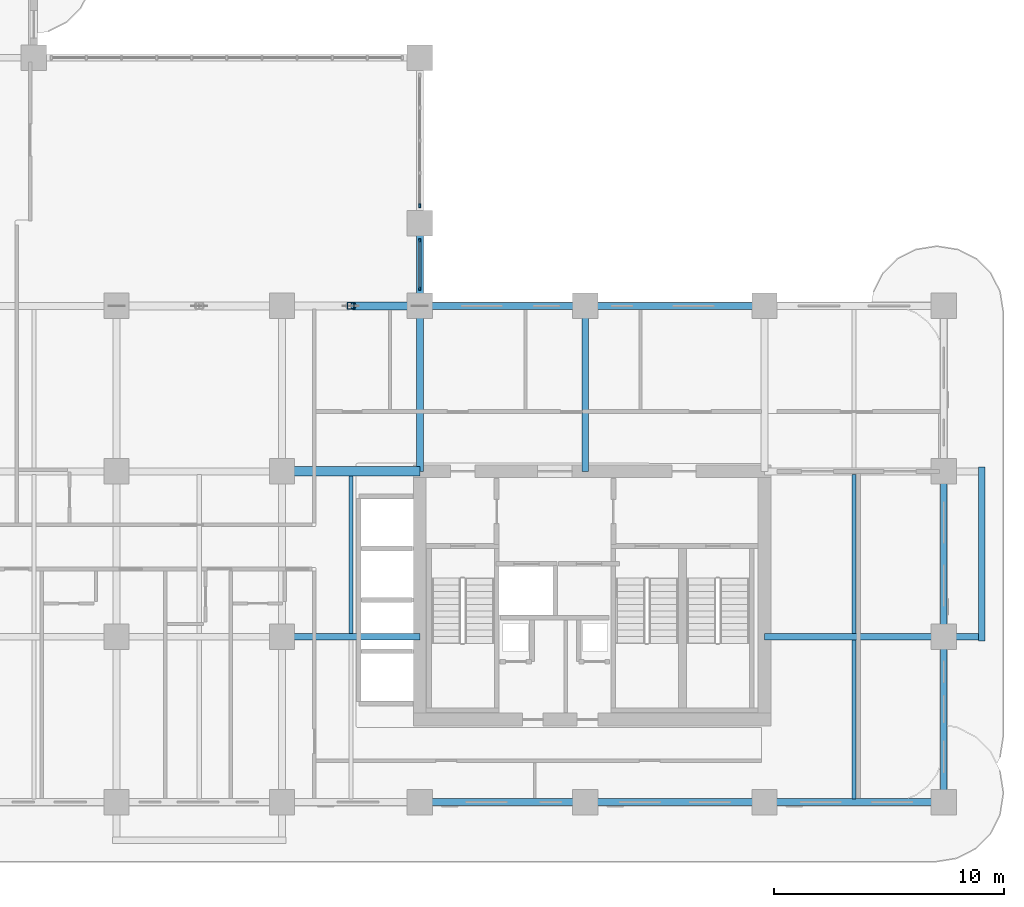
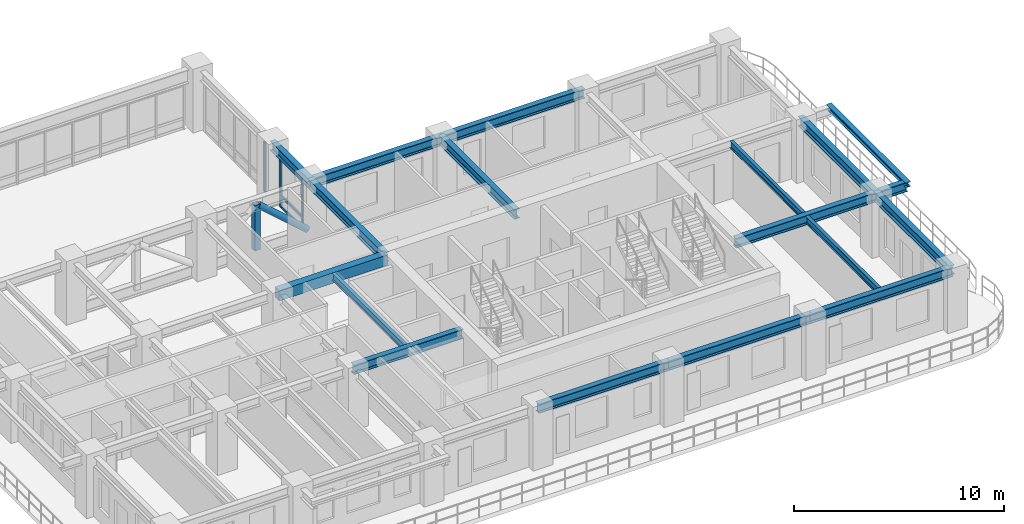
# One storey, part 3 of 21: 17 beams, 8 members, 2 elements without a shape of their own.
"""IFC4 building model written with IfcOpenShell, lengths in metres."""

from ifc_helpers import new_model, si_unit, derived_unit, direction, frame, origin, origin_2d, place, context, subcontext, project, spatial, rectangle, hollow_rectangle, hollow_circle, i_section, extrude, source, transform, mapped, material, layer, layer_set, material_profile, profile_set, type_object, type_shapes, element, aggregate, save


model = new_model("IFC4")

# Units and contexts
model_context = context("Model", 3, precision=1e-05, world=origin(), true_north=direction((0.0, 1.0)))
body_context = subcontext(model_context, "Body", "Model", "MODEL_VIEW")
ifc_project = project(units=[si_unit("LENGTHUNIT", "METRE"), si_unit("AREAUNIT", "SQUARE_METRE"), si_unit("VOLUMEUNIT", "CUBIC_METRE"), si_unit("PLANEANGLEUNIT", "RADIAN"), si_unit("MASSUNIT", "GRAM", prefix="KILO"), si_unit("THERMODYNAMICTEMPERATUREUNIT", "KELVIN"), si_unit("POWERUNIT", "WATT"), derived_unit("THERMALTRANSMITTANCEUNIT", [(si_unit("POWERUNIT", "WATT"), 1), (si_unit("AREAUNIT", "SQUARE_METRE"), -1), (si_unit("THERMODYNAMICTEMPERATUREUNIT", "KELVIN"), -1)])], contexts=[model_context])

# Site, building, storey
site_placement = place(None, origin())
site = spatial("IfcSite", under=ifc_project, at=site_placement, CompositionType="ELEMENT")
building_placement = place(site_placement, origin())
building = spatial("IfcBuilding", under=site, at=building_placement, Name="Zahravan Archway Hotel and Residences", CompositionType="ELEMENT")
storey_placement = place(building_placement, frame((0.0, 0.0, 69.39990234375)))
storey = spatial("IfcBuildingStorey", under=building, at=storey_placement, Name="L16", CompositionType="ELEMENT", Elevation=69.39990234375)

# Beams
ifc_material_1 = material(Name="Structural Steel S355JR", Category="steel")
ifc_material_profile_1 = material_profile(ifc_material_1, i_section(OverallWidth=0.280029296875, OverallDepth=0.280029296875, WebThickness=0.010498046875, FlangeThickness=0.01806640625, FilletRadius=0.02392578125, at=origin_2d()), Name="HEB 280", Category="steel")
ifc_profile_set_1 = profile_set([ifc_material_profile_1], Name="Structural Steel S355JR")
beam_type_1 = type_object("IfcBeamType", Name="BM-SPN-HEB280", PredefinedType="SPANDREL", material=ifc_profile_set_1)
shared_shape_1 = source(origin(), body_context, "Body", "SweptSolid", [
    extrude(i_section(OverallWidth=0.280029296875, OverallDepth=0.280029296875, WebThickness=0.010498046875, FlangeThickness=0.01806640625, FilletRadius=0.02392578125, at=origin_2d()), origin(), (0.0, 0.0, 1.0), 7.56005859375),
])
type_shapes(beam_type_1, [shared_shape_1])
beam_1_placement = place(storey_placement, frame((59.25, 7.02001953125, 3.31005859375), z_axis=(0.0, 1.0, 0.0), x_axis=(-1.0, 0.0, 0.0)))
element("IfcBeam", 1, at=beam_1_placement, inside=storey, type_object=beam_type_1, Name="L17 EA Balcony Edge Spandrel", PredefinedType="SPANDREL", context=body_context, shape_type="MappedRepresentation", body=[
    mapped(shared_shape_1, transform((0.0, 0.0, 0.0), scale=1.0)),
])
ifc_material_2 = material(Name="Concrete C60/75", Category="concrete")
ifc_material_profile_2 = material_profile(ifc_material_2, rectangle(XDim=0.39990234375, YDim=0.60009765625, at=origin_2d()), Name="RC-LNT-400x600", Category="concrete")
ifc_profile_set_2 = profile_set([ifc_material_profile_2], Name="Concrete C60/75")
beam_type_2 = type_object("IfcBeamType", Name="LNT-RC-400x600", PredefinedType="LINTEL", material=ifc_profile_set_2)
shared_shape_2 = source(origin(), body_context, "Body", "SweptSolid", [
    extrude(rectangle(XDim=0.39990234375, YDim=0.60009765625, at=origin_2d()), origin(), (0.0, 0.0, 1.0), 6.0),
])
type_shapes(beam_type_2, [shared_shape_2])
beam_2_placement = place(storey_placement, frame((28.800048828125, 14.39990234375, 3.150146484375), z_axis=(1.0, 0.0, 0.0), x_axis=(0.0, 1.0, 0.0)))
element("IfcBeam", 2, at=beam_2_placement, inside=storey, type_object=beam_type_2, Name="L16 Core A Coupling Lintel Beam", PredefinedType="LINTEL", context=body_context, shape_type="MappedRepresentation", body=[
    mapped(shared_shape_2, transform((0.0, 0.0, 0.0), scale=1.0)),
])
ifc_material_profile_3 = material_profile(ifc_material_1, i_section(OverallWidth=0.300048828125, OverallDepth=0.550048828125, WebThickness=0.014892578125, FlangeThickness=0.029052734375, FilletRadius=0.027099609375, at=origin_2d()), Name="HEB 550", Category="steel")
ifc_profile_set_3 = profile_set([ifc_material_profile_3], Name="Structural Steel S355JR")
beam_type_3 = type_object("IfcBeamType", Name="BM-PRI-HEB550", PredefinedType="BEAM", material=ifc_profile_set_3)
shared_shape_3 = source(origin(), body_context, "Body", "SweptSolid", [
    extrude(i_section(OverallWidth=0.300048828125, OverallDepth=0.550048828125, WebThickness=0.014892578125, FlangeThickness=0.029052734375, FilletRadius=0.027099609375, at=origin_2d()), origin(), (0.0, 0.0, 1.0), 7.2001953125),
])
type_shapes(beam_type_3, [shared_shape_3])
for number, where, z_axis, x_axis, name in (
    (3, (34.800048828125, 14.39990234375, 3.175048828125), (0.0, 1.0, 0.0), (-1.0, 0.0, 0.0), "L16 Primary Girder NS-43"),
    (4, (42.0, 14.39990234375, 3.175048828125), (0.0, 1.0, 0.0), (-1.0, 0.0, 0.0), "L16 Primary Girder NS-46"),
):
    element("IfcBeam", number, at=place(storey_placement, frame(where, z_axis=z_axis, x_axis=x_axis)), inside=storey, type_object=beam_type_3, Name=name, PredefinedType="BEAM", context=body_context, shape_type="MappedRepresentation", body=[
        mapped(shared_shape_3, transform((0.0, 0.0, 0.0), scale=1.0)),
    ])
shared_shape_4 = source(origin(), body_context, "Body", "SweptSolid", [
    extrude(i_section(OverallWidth=0.300048828125, OverallDepth=0.550048828125, WebThickness=0.014892578125, FlangeThickness=0.029052734375, FilletRadius=0.027099609375, at=origin_2d()), origin(), (0.0, 0.0, 1.0), 7.199951171875),
])
for number, where, z_axis, x_axis, name in (
    (5, (34.800048828125, 0.0, 3.175048828125), (1.0, 0.0, 0.0), (0.0, 1.0, 0.0), "L16 Primary Girder EW-04"),
    (6, (34.800048828125, 21.60009765625, 3.175048828125), (1.0, 0.0, 0.0), (0.0, 1.0, 0.0), "L16 Primary Girder EW-15"),
    (7, (57.60009765625, 0.0, 3.175048828125), (0.0, 1.0, 0.0), (-1.0, 0.0, 0.0), "L16 Primary Girder NS-48"),
    (8, (57.60009765625, 7.199951171875, 3.175048828125), (0.0, 1.0, 0.0), (-1.0, 0.0, 0.0), "L16 Primary Girder NS-49"),
):
    element("IfcBeam", number, at=place(storey_placement, frame(where, z_axis=z_axis, x_axis=x_axis)), inside=storey, type_object=beam_type_3, Name=name, PredefinedType="BEAM", context=body_context, shape_type="MappedRepresentation", body=[
        mapped(shared_shape_4, transform((0.0, 0.0, 0.0), scale=1.0)),
    ])
shared_shape_5 = source(origin(), body_context, "Body", "SweptSolid", [
    extrude(i_section(OverallWidth=0.300048828125, OverallDepth=0.550048828125, WebThickness=0.014892578125, FlangeThickness=0.029052734375, FilletRadius=0.027099609375, at=origin_2d()), origin(), (0.0, 0.0, 1.0), 6.0),
])
beam_3_placement = place(storey_placement, frame((28.800048828125, 7.199951171875, 3.175048828125), z_axis=(1.0, 0.0, 0.0), x_axis=(0.0, 1.0, 0.0)))
element("IfcBeam", 9, at=beam_3_placement, inside=storey, type_object=beam_type_3, Name="L16 Primary Girder EW-09", PredefinedType="BEAM", context=body_context, shape_type="MappedRepresentation", body=[
    mapped(shared_shape_5, transform((0.0, 0.0, 0.0), scale=1.0)),
])
shared_shape_6 = source(origin(), body_context, "Body", "SweptSolid", [
    extrude(i_section(OverallWidth=0.300048828125, OverallDepth=0.550048828125, WebThickness=0.014892578125, FlangeThickness=0.029052734375, FilletRadius=0.027099609375, at=origin_2d()), origin(), (0.0, 0.0, 1.0), 7.800048828125),
])
for number, where, z_axis, x_axis, name in (
    (10, (42.0, 0.0, 3.175048828125), (1.0, 0.0, 0.0), (0.0, 1.0, 0.0), "L16 Primary Girder EW-05"),
    (11, (49.800048828125, 0.0, 3.175048828125), (1.0, 0.0, 0.0), (0.0, 1.0, 0.0), "L16 Primary Girder EW-06"),
    (12, (42.0, 21.60009765625, 3.175048828125), (1.0, 0.0, 0.0), (0.0, 1.0, 0.0), "L16 Primary Girder EW-16"),
):
    element("IfcBeam", number, at=place(storey_placement, frame(where, z_axis=z_axis, x_axis=x_axis)), inside=storey, type_object=beam_type_3, Name=name, PredefinedType="BEAM", context=body_context, shape_type="MappedRepresentation", body=[
        mapped(shared_shape_6, transform((0.0, 0.0, 0.0), scale=1.0)),
    ])
shared_shape_7 = source(origin(), body_context, "Body", "SweptSolid", [
    extrude(i_section(OverallWidth=0.300048828125, OverallDepth=0.550048828125, WebThickness=0.014892578125, FlangeThickness=0.029052734375, FilletRadius=0.027099609375, at=origin_2d()), origin(), (0.0, 0.0, 1.0), 9.449951171875),
])
beam_4_placement = place(storey_placement, frame((49.800048828125, 7.199951171875, 3.175048828125), z_axis=(1.0, 0.0, 0.0), x_axis=(0.0, 1.0, 0.0)))
element("IfcBeam", 13, at=beam_4_placement, inside=storey, type_object=beam_type_3, Name="L16 Primary Girder EW-10", PredefinedType="BEAM", context=body_context, shape_type="MappedRepresentation", body=[
    mapped(shared_shape_7, transform((0.0, 0.0, 0.0), scale=1.0)),
])
shared_shape_8 = source(origin(), body_context, "Body", "SweptSolid", [
    extrude(i_section(OverallWidth=0.300048828125, OverallDepth=0.550048828125, WebThickness=0.014892578125, FlangeThickness=0.029052734375, FilletRadius=0.027099609375, at=origin_2d()), origin(), (0.0, 0.0, 1.0), 3.599853515625),
])
beam_5_placement = place(storey_placement, frame((34.800048828125, 21.60009765625, 3.175048828125), z_axis=(0.0, 1.0, 0.0), x_axis=(-1.0, 0.0, 0.0)))
element("IfcBeam", 14, at=beam_5_placement, inside=storey, type_object=beam_type_3, Name="L16 Primary Girder NS-44", PredefinedType="BEAM", context=body_context, shape_type="MappedRepresentation", body=[
    mapped(shared_shape_8, transform((0.0, 0.0, 0.0), scale=1.0)),
])
ifc_material_profile_4 = material_profile(ifc_material_1, i_section(OverallWidth=0.179931640625, OverallDepth=0.39990234375, WebThickness=0.008544921875, FlangeThickness=0.013427734375, FilletRadius=0.02099609375, at=origin_2d()), Name="IPE 400", Category="steel")
ifc_profile_set_4 = profile_set([ifc_material_profile_4], Name="Structural Steel S355JR")
beam_type_4 = type_object("IfcBeamType", Name="BM-JST-IPE400", PredefinedType="JOIST", material=ifc_profile_set_4)
shared_shape_9 = source(origin(), body_context, "Body", "SweptSolid", [
    extrude(i_section(OverallWidth=0.179931640625, OverallDepth=0.39990234375, WebThickness=0.008544921875, FlangeThickness=0.013427734375, FilletRadius=0.02099609375, at=origin_2d()), origin(), (0.0, 0.0, 1.0), 6.904052734375),
])
type_shapes(beam_type_4, [shared_shape_9])
for number, where, z_axis, x_axis, name in (
    (15, (53.699951171875, 0.14794921875, 3.25), (0.0, 1.0, 0.0), (-1.0, 0.0, 0.0), "L16 Composite Floor Joist 04"),
    (16, (53.699951171875, 7.347900390625, 3.25), (0.0, 1.0, 0.0), (-1.0, 0.0, 0.0), "L16 Composite Floor Joist 08"),
):
    element("IfcBeam", number, at=place(storey_placement, frame(where, z_axis=z_axis, x_axis=x_axis)), inside=storey, type_object=beam_type_4, Name=name, PredefinedType="JOIST", context=body_context, shape_type="MappedRepresentation", body=[
        mapped(shared_shape_9, transform((0.0, 0.0, 0.0), scale=1.0)),
    ])
shared_shape_10 = source(origin(), body_context, "Body", "SweptSolid", [
    extrude(i_section(OverallWidth=0.179931640625, OverallDepth=0.39990234375, WebThickness=0.008544921875, FlangeThickness=0.013427734375, FilletRadius=0.02099609375, at=origin_2d()), origin(), (0.0, 0.0, 1.0), 6.85400390625),
])
beam_6_placement = place(storey_placement, frame((31.800048828125, 7.347900390625, 3.25), z_axis=(0.0, 1.0, 0.0), x_axis=(-1.0, 0.0, 0.0)))
element("IfcBeam", 17, at=beam_6_placement, inside=storey, type_object=beam_type_4, Name="L16 Composite Floor Joist 07", PredefinedType="JOIST", context=body_context, shape_type="MappedRepresentation", body=[
    mapped(shared_shape_10, transform((0.0, 0.0, 0.0), scale=1.0)),
])

# Members
ifc_material_3 = material(Name="Structural Steel S355J2", Category="steel")
ifc_material_profile_5 = material_profile(ifc_material_3, hollow_rectangle(XDim=0.300048828125, YDim=0.300048828125, WallThickness=0.01611328125, at=origin_2d()), Name="SHS 300x300x16", Category="steel")
ifc_profile_set_5 = profile_set([ifc_material_profile_5], Name="Structural Steel S355J2")
member_type_1 = type_object("IfcMemberType", Name="MEM-POST-SHS300", PredefinedType="POST", material=ifc_profile_set_5)
shared_shape_11 = source(origin(), body_context, "Body", "SweptSolid", [
    extrude(hollow_rectangle(XDim=0.300048828125, YDim=0.300048828125, WallThickness=0.01611328125, at=origin_2d()), origin(), (0.0, 0.0, 1.0), 2.64990234375),
])
type_shapes(member_type_1, [shared_shape_11])
member_1_placement = place(storey_placement, frame((31.800048828125, 21.60009765625, 0.35009765625), z_axis=(0.0, 0.0, 1.0), x_axis=(1.0, 0.0, 0.0)))
element("IfcMember", 18, at=member_1_placement, inside=storey, type_object=member_type_1, Name="L16 Sky-Bridge Truss Post 3", PredefinedType="POST", context=body_context, shape_type="MappedRepresentation", body=[
    mapped(shared_shape_11, transform((0.0, 0.0, 0.0), scale=1.0)),
])
ifc_material_profile_6 = material_profile(ifc_material_3, hollow_circle(Radius=0.177734375, WallThickness=0.01611328125, at=origin_2d()), Name="CHS 355.6x16", Category="steel")
ifc_profile_set_6 = profile_set([ifc_material_profile_6], Name="Structural Steel S355J2")
member_type_2 = type_object("IfcMemberType", Name="MEM-DIAG-CHS355", PredefinedType="BRACE", material=ifc_profile_set_6)
shared_shape_12 = source(origin(), body_context, "Body", "SweptSolid", [
    extrude(hollow_circle(Radius=0.177734375, WallThickness=0.01611328125, at=origin_2d()), origin(), (0.0, 0.0, 1.0), 3.5830078125),
])
member_2_placement = place(storey_placement, frame((31.90478515625, 21.60009765625, 2.907470703125), z_axis=(0.749465886399, 0.0, -0.662042963201), x_axis=(0.0, 1.0, 0.0)))
element("IfcMember", 19, at=member_2_placement, inside=storey, type_object=member_type_2, Name="L16 Sky-Bridge Truss Diagonal 4", PredefinedType="BRACE", context=body_context, shape_type="MappedRepresentation", body=[
    mapped(shared_shape_12, transform((0.0, 0.0, 0.0), scale=1.0)),
])

# Curtain wall, members
ifc_material_4 = material(Name="Bronze-Anodized Unitised Aluminium & Low-E Glass", Category="aluminium")
ifc_layer = layer(ifc_material_4, 0.179931640625, Name="Bronze-Anodized Unitised Aluminium & Low-E Glass", Category="aluminium")
ifc_layer_set = layer_set([ifc_layer], Name="Bronze-Anodized Unitised Aluminium & Low-E Glass")
curtain_wall_type = type_object("IfcCurtainWallType", Name="CW-SBG-1", PredefinedType="NOTDEFINED", material=ifc_layer_set)
curtain_wall_1_placement = place(storey_placement, origin())
curtain_wall_1 = element("IfcCurtainWall", 20, at=curtain_wall_1_placement, inside=storey, type_object=curtain_wall_type, Name="L16 Curtain Wall CW-L16-HNG-E-1", PredefinedType="NOTDEFINED")
ifc_material_5 = material(Name="Bronze-Anodized Extruded Aluminium", Category="aluminium")
ifc_material_profile_7 = material_profile(ifc_material_5, rectangle(XDim=0.080078125, YDim=0.159912109375, at=origin_2d()), Name="MUL 80x160", Category="aluminium")
ifc_profile_set_7 = profile_set([ifc_material_profile_7], Name="Bronze-Anodized Extruded Aluminium")
member_type_3 = type_object("IfcMemberType", Name="CWM-MUL-160", PredefinedType="MULLION", material=ifc_profile_set_7)
shared_shape_13 = source(origin(), body_context, "Body", "SweptSolid", [
    extrude(rectangle(XDim=0.080078125, YDim=0.159912109375, at=origin_2d()), origin(), (0.0, 0.0, 1.0), 2.885009765625),
])
member_3_placement = place(storey_placement, frame((34.800048828125, 22.360107421875, 0.0), z_axis=(0.0, 0.0, 1.0), x_axis=(1.0, 0.0, 0.0)))
member_3 = element("IfcMember", 21, at=member_3_placement, type_object=member_type_3, Name="CW-L16-HNG-E-1 Mullion 0", PredefinedType="MULLION", context=body_context, shape_type="MappedRepresentation", body=[
    mapped(shared_shape_13, transform((0.0, 0.0, 0.0), scale=1.0)),
])
member_4_placement = place(storey_placement, frame((34.800048828125, 24.43994140625, 0.0), z_axis=(0.0, 0.0, 1.0), x_axis=(1.0, 0.0, 0.0)))
member_4 = element("IfcMember", 22, at=member_4_placement, type_object=member_type_3, Name="CW-L16-HNG-E-1 Mullion 1", PredefinedType="MULLION", context=body_context, shape_type="MappedRepresentation", body=[
    mapped(shared_shape_13, transform((0.0, 0.0, 0.0), scale=1.0)),
])

# Curtain wall, member
curtain_wall_2_placement = place(storey_placement, origin())
curtain_wall_2 = element("IfcCurtainWall", 23, at=curtain_wall_2_placement, inside=storey, type_object=curtain_wall_type, Name="L16 Curtain Wall CW-L16-HNG-E-2", PredefinedType="NOTDEFINED")
member_5_placement = place(storey_placement, frame((34.800048828125, 25.9599609375, 0.0), z_axis=(0.0, 0.0, 1.0), x_axis=(1.0, 0.0, 0.0)))
member_5 = element("IfcMember", 24, at=member_5_placement, type_object=member_type_3, Name="CW-L16-HNG-E-2 Mullion 0", PredefinedType="MULLION", context=body_context, shape_type="MappedRepresentation", body=[
    mapped(shared_shape_13, transform((0.0, 0.0, 0.0), scale=1.0)),
])
aggregate(curtain_wall_2, [member_5])

# Member
ifc_material_profile_8 = material_profile(ifc_material_5, rectangle(XDim=0.080078125, YDim=0.139892578125, at=origin_2d()), Name="TRN 80x140", Category="aluminium")
ifc_profile_set_8 = profile_set([ifc_material_profile_8], Name="Bronze-Anodized Extruded Aluminium")
member_type_4 = type_object("IfcMemberType", Name="CWM-TRN-140", PredefinedType="USERDEFINED", material=ifc_profile_set_8)
shared_shape_14 = source(origin(), body_context, "Body", "SweptSolid", [
    extrude(rectangle(XDim=0.080078125, YDim=0.139892578125, at=origin_2d()), origin(), (0.0, 0.0, 1.0), 2.0),
])
member_6_placement = place(storey_placement, frame((34.800048828125, 22.39990234375, 0.070068359375), z_axis=(0.0, 1.0, 0.0), x_axis=(-1.0, 0.0, 0.0)))
member_6 = element("IfcMember", 25, at=member_6_placement, type_object=member_type_4, Name="CW-L16-HNG-E-1 Transom 0-1", ObjectType="TRANSOM", PredefinedType="USERDEFINED", context=body_context, shape_type="MappedRepresentation", body=[
    mapped(shared_shape_14, transform((0.0, 0.0, 0.0), scale=1.0)),
])

member_7_placement = place(storey_placement, frame((34.800048828125, 22.39990234375, 0.6923828125), z_axis=(0.0, 1.0, 0.0), x_axis=(-1.0, 0.0, 0.0)))
member_7 = element("IfcMember", 26, at=member_7_placement, type_object=member_type_4, Name="CW-L16-HNG-E-1 Transom 0-2", ObjectType="TRANSOM", PredefinedType="USERDEFINED", context=body_context, shape_type="MappedRepresentation", body=[
    mapped(shared_shape_14, transform((0.0, 0.0, 0.0), scale=1.0)),
])

member_8_placement = place(storey_placement, frame((34.800048828125, 22.39990234375, 2.815185546875), z_axis=(0.0, 1.0, 0.0), x_axis=(-1.0, 0.0, 0.0)))
member_8 = element("IfcMember", 27, at=member_8_placement, type_object=member_type_4, Name="CW-L16-HNG-E-1 Transom 0-3", ObjectType="TRANSOM", PredefinedType="USERDEFINED", context=body_context, shape_type="MappedRepresentation", body=[
    mapped(shared_shape_14, transform((0.0, 0.0, 0.0), scale=1.0)),
])

aggregate(curtain_wall_1, [member_3, member_4, member_6, member_7, member_8])

save(model, "model.ifc")
